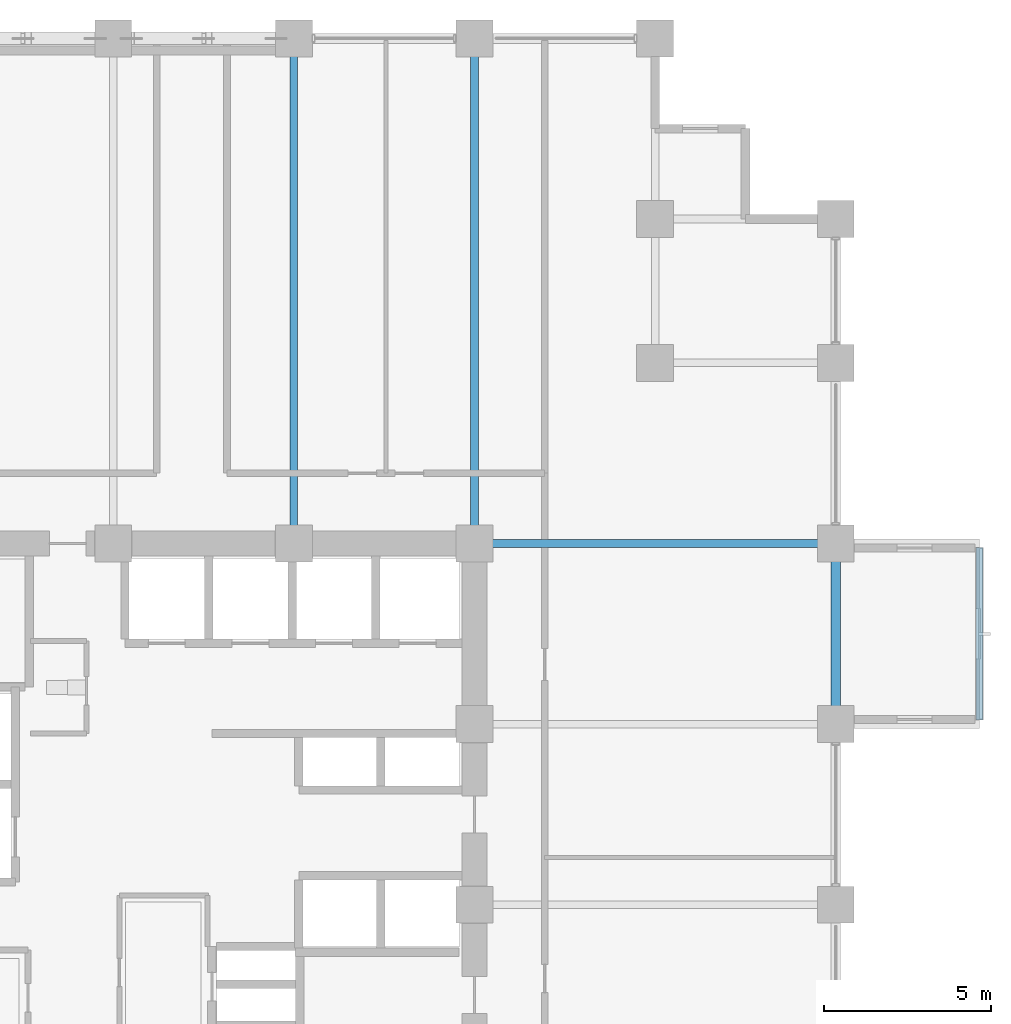
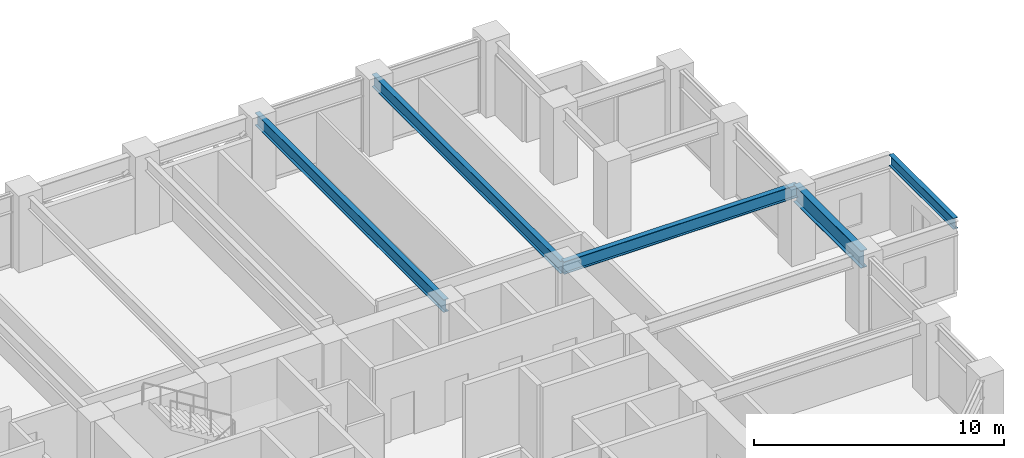
# One storey, part 16 of 29: 5 beams.
"""IFC4 building model written with IfcOpenShell, lengths in metres."""

import ifcopenshell
import ifcopenshell.guid

model = None  # the IFC model being written
_history = None  # IfcOwnerHistory: only IFC2X3 demands one
_inside = {}  # id of a spatial element -> (the spatial element, [elements in it])
_under = {}  # id of a project, library or spatial element -> (it, [spatial elements below it])
_declared = {}  # id of a project -> (the project, [libraries it declares])
_typed = {}  # id of a type object -> (the type object, [elements of that type])
_made_of = {}  # id of a material, layer set ... -> (it, [elements and type objects made of it])


def new_model(schema):
    """Start an empty IFC model of exactly this schema.

    Asked for "IFC4X3", IfcOpenShell would pick the latest addendum, in which some entities
    have other attributes; the version numbers below select the first issue.
    IFC2X3 requires an IfcOwnerHistory on every rooted entity: one is made here for all.
    """
    global model, _history
    if schema == "IFC4X3":
        model = ifcopenshell.file(schema_version=(4, 3, 0, 0))
    else:
        model = ifcopenshell.file(schema=schema)
    _inside.clear()
    _under.clear()
    _declared.clear()
    _typed.clear()
    _made_of.clear()
    _history = None
    if model.schema == "IFC2X3":
        org = make("IfcOrganization", Name="unknown")
        user = make(
            "IfcPersonAndOrganization",
            ThePerson=make("IfcPerson", FamilyName="unknown"),
            TheOrganization=org,
        )
        app = make(
            "IfcApplication",
            ApplicationDeveloper=org,
            Version="unknown",
            ApplicationFullName="unknown",
            ApplicationIdentifier="unknown",
        )
        _history = make(
            "IfcOwnerHistory",
            OwningUser=user,
            OwningApplication=app,
            ChangeAction="ADDED",
            CreationDate=0,
        )
    return model


def make(cls, **values):
    """One entity of the class cls with the attributes given. An attribute that is None is left unset."""
    return model.create_entity(
        cls, **{name: value for name, value in values.items() if value is not None}
    )


def rooted(cls, **values):
    """An entity with a GlobalId (a new one), such as an element, a storey or a relation."""
    return make(cls, GlobalId=ifcopenshell.guid.new(), OwnerHistory=_history, **values)


def si_unit(unit_type, name, prefix=None):
    """IfcSIUnit, for example si_unit("LENGTHUNIT", "METRE", prefix="MILLI")."""
    return make("IfcSIUnit", UnitType=unit_type, Prefix=prefix, Name=name)


def assignment(units):
    """IfcUnitAssignment: the units of a project."""
    return None if units is None else make("IfcUnitAssignment", Units=units)


def point(xyz):
    """IfcCartesianPoint."""
    return None if xyz is None else make("IfcCartesianPoint", Coordinates=xyz)


def direction(xyz):
    """IfcDirection."""
    return None if xyz is None else make("IfcDirection", DirectionRatios=xyz)


def frame(location, z_axis=None, x_axis=None):
    """IfcAxis2Placement3D, a coordinate frame: its origin and axes. An axis left out is left unset."""
    return make(
        "IfcAxis2Placement3D",
        Location=point(location),
        Axis=direction(z_axis),
        RefDirection=direction(x_axis),
    )


def frame_2d(location, x_axis=None):
    """IfcAxis2Placement2D, a coordinate frame in the plane: its origin and x axis."""
    return make(
        "IfcAxis2Placement2D", Location=point(location), RefDirection=direction(x_axis)
    )


def origin():
    """The frame at (0, 0, 0) with its axes left unset."""
    return frame((0.0, 0.0, 0.0))


def origin_2d():
    """The frame at (0, 0) in the plane with its x axis left unset."""
    return frame_2d((0.0, 0.0))


def place(relative_to, where):
    """IfcLocalPlacement: puts the frame where relative to a parent placement (None: the world)."""
    return make(
        "IfcLocalPlacement", PlacementRelTo=relative_to, RelativePlacement=where
    )


def context(
    kind, dimensions, precision=None, world=None, true_north=None, identifier=None
):
    """IfcGeometricRepresentationContext, for example the 3D "Model" context."""
    return make(
        "IfcGeometricRepresentationContext",
        ContextIdentifier=identifier,
        ContextType=kind,
        CoordinateSpaceDimension=dimensions,
        Precision=precision,
        WorldCoordinateSystem=world,
        TrueNorth=true_north,
    )


def subcontext(parent, identifier, kind, view, scale=None):
    """IfcGeometricRepresentationSubContext, for example "Body" below "Model"."""
    return make(
        "IfcGeometricRepresentationSubContext",
        ContextIdentifier=identifier,
        ContextType=kind,
        ParentContext=parent,
        TargetScale=scale,
        TargetView=view,
    )


def project(units=None, contexts=None):
    """IfcProject with its units and contexts."""
    return rooted(
        "IfcProject",
        Name="project",
        RepresentationContexts=contexts,
        UnitsInContext=assignment(units),
    )


def spatial(cls, under=None, at=None, **own):
    """A site, building, storey or space (cls), placed at a placement, below another one or the project."""
    s = rooted(cls, ObjectPlacement=at, **own)
    if under is not None:
        _under.setdefault(under.id(), (under, []))[1].append(s)
    return s


def profile(cls, at=None, kind="AREA", **sizes):
    """A parametric profile (cls). Its sizes go by their IFC names, for example OverallWidth=200.0."""
    return make(cls, ProfileType=kind, Position=at, **sizes)


def i_section(**sizes):
    """IfcIShapeProfileDef."""
    return profile("IfcIShapeProfileDef", **sizes)


def extrude(swept, where, along, depth):
    """IfcExtrudedAreaSolid: the profile swept, set in the frame where, extruded along a direction by depth."""
    return make(
        "IfcExtrudedAreaSolid",
        SweptArea=swept,
        Position=where,
        ExtrudedDirection=direction(along),
        Depth=depth,
    )


def shape(context_of_items, identifier, shape_type, items):
    """IfcShapeRepresentation: the items that make up one representation, for example the "Body"."""
    return make(
        "IfcShapeRepresentation",
        ContextOfItems=context_of_items,
        RepresentationIdentifier=identifier,
        RepresentationType=shape_type,
        Items=items,
    )


def material(Name=None, Category=None):
    """IfcMaterial."""
    return make("IfcMaterial", Name=Name, Category=Category)


def material_profile(
    of_material, cross_section, Name=None, Category=None, Priority=None
):
    """IfcMaterialProfile: a cross section and its material."""
    return make(
        "IfcMaterialProfile",
        Name=Name,
        Material=of_material,
        Profile=cross_section,
        Priority=Priority,
        Category=Category,
    )


def profile_set(profiles, Name=None, composite=None):
    """IfcMaterialProfileSet."""
    return make(
        "IfcMaterialProfileSet",
        Name=Name,
        MaterialProfiles=profiles,
        CompositeProfile=composite,
    )


def made_of(thing, what):
    """Note that an element or type object is made of a material, layer set ...; save() writes the relation."""
    if what is not None:
        _made_of.setdefault(what.id(), (what, []))[1].append(thing)
    return thing


def type_object(cls, material=None, **own):
    """A type object (cls), such as IfcWallType, which elements share."""
    return made_of(rooted(cls, **own), material)


def element(
    cls,
    number,
    at=None,
    inside=None,
    cuts=None,
    type_object=None,
    material=None,
    context=None,
    identifier="Body",
    shape_type=None,
    held_by="IfcProductDefinitionShape",
    body=None,
    shapes=None,
    **own,
):
    """One element of the class cls, such as IfcWall. Its Tag is "e" and its number.

    at: its placement. inside: the storey or other place that contains it. cuts: it is an
    opening in that element (IfcRelVoidsElement). A single representation is given by context,
    identifier, shape_type and body (its items); several are given by shapes. held_by: the class
    of the entity that holds the representations. save() writes the other relations.
    """
    e = rooted(cls, Tag="e%d" % number, ObjectPlacement=at, **own)
    if body is not None:
        shapes = [shape(context, identifier, shape_type, body)]
    if shapes is not None:
        e.Representation = make(held_by, Representations=shapes)
    if inside is not None:
        _inside.setdefault(inside.id(), (inside, []))[1].append(e)
    if cuts is not None:
        rooted(
            "IfcRelVoidsElement", RelatingBuildingElement=cuts, RelatedOpeningElement=e
        )
    if type_object is not None:
        _typed.setdefault(type_object.id(), (type_object, []))[1].append(e)
    return made_of(e, material)


def aggregate(whole, parts):
    """IfcRelAggregates: a whole, such as a stair, and the parts it consists of."""
    return rooted("IfcRelAggregates", RelatingObject=whole, RelatedObjects=parts)


def save(model, path):
    """Write the relations noted so far, then the file.

    IfcRelAggregates (storeys below a building ...), IfcRelContainedInSpatialStructure (elements
    in a storey), IfcRelDefinesByType, IfcRelAssociatesMaterial and IfcRelDeclares: one each for
    every whole, place, type object, material and project.
    """
    for whole, parts in _under.values():
        aggregate(whole, parts)
    for where, things in _inside.values():
        rooted(
            "IfcRelContainedInSpatialStructure",
            RelatedElements=things,
            RelatingStructure=where,
        )
    for kind, things in _typed.values():
        rooted("IfcRelDefinesByType", RelatedObjects=things, RelatingType=kind)
    for what, things in _made_of.values():
        rooted("IfcRelAssociatesMaterial", RelatedObjects=things, RelatingMaterial=what)
    for by, libraries in _declared.values():
        rooted("IfcRelDeclares", RelatingContext=by, RelatedDefinitions=libraries)
    model.write(path)


model = new_model("IFC4")

# Units and contexts
model_context = context("Model", 3, precision=1e-05, world=origin(), true_north=direction((0.0, 1.0)))
body_context = subcontext(model_context, "Body", "Model", "MODEL_VIEW")
ifc_project = project(units=[si_unit("LENGTHUNIT", "METRE"), si_unit("AREAUNIT", "SQUARE_METRE"), si_unit("VOLUMEUNIT", "CUBIC_METRE"), si_unit("PLANEANGLEUNIT", "RADIAN"), si_unit("MASSUNIT", "GRAM", prefix="KILO")], contexts=[model_context])

# Site, building, storey
site_placement = place(None, origin())
site = spatial("IfcSite", under=ifc_project, at=site_placement, CompositionType="ELEMENT")
building_placement = place(site_placement, origin())
building = spatial("IfcBuilding", under=site, at=building_placement, Name="Surkhivell Harbour Commons", CompositionType="ELEMENT")
storey_placement = place(building_placement, frame((0.0, 0.0, 90.75)))
storey = spatial("IfcBuildingStorey", under=building, at=storey_placement, Name="L23", CompositionType="ELEMENT", Elevation=90.75)

# Beams
ifc_material_1 = material(Name="Steel S355", Category="steel")
ifc_material_profile_1 = material_profile(ifc_material_1, i_section(OverallWidth=0.2099609375, OverallDepth=0.537109375, WebThickness=0.0107421875, FlangeThickness=0.017333984375, at=origin_2d()), Name="UB533x210x101")
ifc_profile_set_1 = profile_set([ifc_material_profile_1], Name="Steel S355")
beam_type_1 = type_object("IfcBeamType", Name="BM-GRD-533B", PredefinedType="BEAM", material=ifc_profile_set_1)
beam_1_placement = place(storey_placement, frame((25.89990234375, 5.52197265625, 3.301513671875), z_axis=(0.0, 1.0, 0.0), x_axis=(-1.0, 0.0, 0.0)))
element("IfcBeam", 1, at=beam_1_placement, inside=storey, type_object=beam_type_1, Name="L23 Box Rim Spandrel (25.9,5.4)", PredefinedType="BEAM", context=body_context, shape_type="SweptSolid", body=[
    extrude(i_section(OverallWidth=0.2099609375, OverallDepth=0.537109375, WebThickness=0.0107421875, FlangeThickness=0.017333984375, at=origin_2d()), origin(), (0.0, 0.0, 1.0), 5.156005859375),
])
ifc_material_profile_2 = material_profile(ifc_material_1, i_section(OverallWidth=0.22998046875, OverallDepth=0.616943359375, WebThickness=0.01318359375, FlangeThickness=0.022216796875, at=origin_2d()), Name="UB610x229x140")
ifc_profile_set_2 = profile_set([ifc_material_profile_2], Name="Steel S355")
beam_type_2 = type_object("IfcBeamType", Name="BM-GRD-610B", PredefinedType="BEAM", material=ifc_profile_set_2)
beam_2_placement = place(storey_placement, frame((10.800048828125, 10.800048828125, 3.261474609375), z_axis=(1.0, 0.0, 0.0), x_axis=(0.0, 1.0, 0.0)))
element("IfcBeam", 2, at=beam_2_placement, inside=storey, type_object=beam_type_2, Name="L23 Cantilever Back-Span Girder (10.8,10.8)", PredefinedType="BEAM", context=body_context, shape_type="SweptSolid", body=[
    extrude(i_section(OverallWidth=0.22998046875, OverallDepth=0.616943359375, WebThickness=0.01318359375, FlangeThickness=0.022216796875, at=origin_2d()), origin(), (0.0, 0.0, 1.0), 10.800048828125),
])
for number, where, z_axis, x_axis, name in (
    (3, (5.39990234375, 10.800048828125, 3.261474609375), (0.0, 1.0, 0.0), (-1.0, 0.0, 0.0), "L23 Floor Girder (5.4,10.8)"),
    (4, (10.800048828125, 10.800048828125, 3.261474609375), (0.0, 1.0, 0.0), (-1.0, 0.0, 0.0), "L23 Floor Girder (10.8,10.8)"),
):
    element("IfcBeam", number, at=place(storey_placement, frame(where, z_axis=z_axis, x_axis=x_axis)), inside=storey, type_object=beam_type_2, Name=name, PredefinedType="BEAM", context=body_context, shape_type="SweptSolid", body=[
        extrude(i_section(OverallWidth=0.22998046875, OverallDepth=0.616943359375, WebThickness=0.01318359375, FlangeThickness=0.022216796875, at=origin_2d()), origin(), (0.0, 0.0, 1.0), 15.099853515625),
    ])
ifc_material_2 = material(Name="Steel S460", Category="steel")
ifc_material_profile_3 = material_profile(ifc_material_2, i_section(OverallWidth=0.2939453125, OverallDepth=0.85107421875, WebThickness=0.01611328125, FlangeThickness=0.02685546875, at=origin_2d()), Name="UB838x292x226")
ifc_profile_set_3 = profile_set([ifc_material_profile_3], Name="Steel S460")
beam_type_3 = type_object("IfcBeamType", Name="BM-SPN-838", PredefinedType="SPANDREL", material=ifc_profile_set_3)
beam_3_placement = place(storey_placement, frame((21.60009765625, 5.39990234375, 3.14453125), z_axis=(0.0, 1.0, 0.0), x_axis=(-1.0, 0.0, 0.0)))
element("IfcBeam", 5, at=beam_3_placement, inside=storey, type_object=beam_type_3, Name="L23 Tube Spandrel (21.6,5.4)", PredefinedType="SPANDREL", context=body_context, shape_type="SweptSolid", body=[
    extrude(i_section(OverallWidth=0.2939453125, OverallDepth=0.85107421875, WebThickness=0.01611328125, FlangeThickness=0.02685546875, at=origin_2d()), origin(), (0.0, 0.0, 1.0), 5.400146484375),
])

save(model, "model.ifc")
